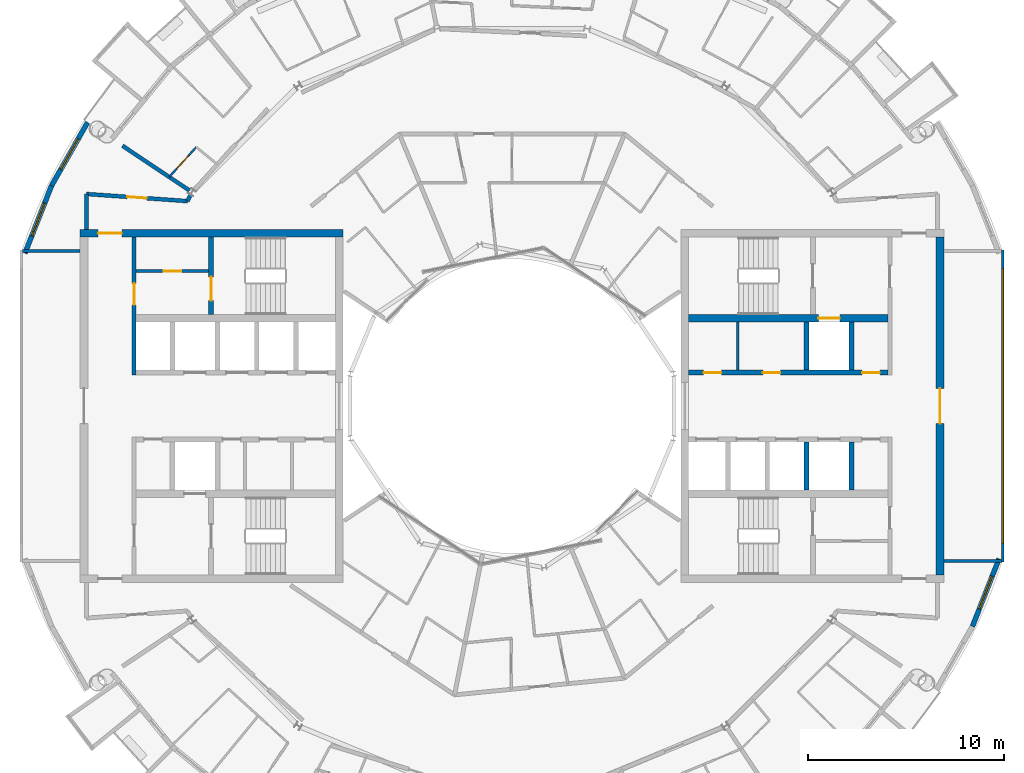
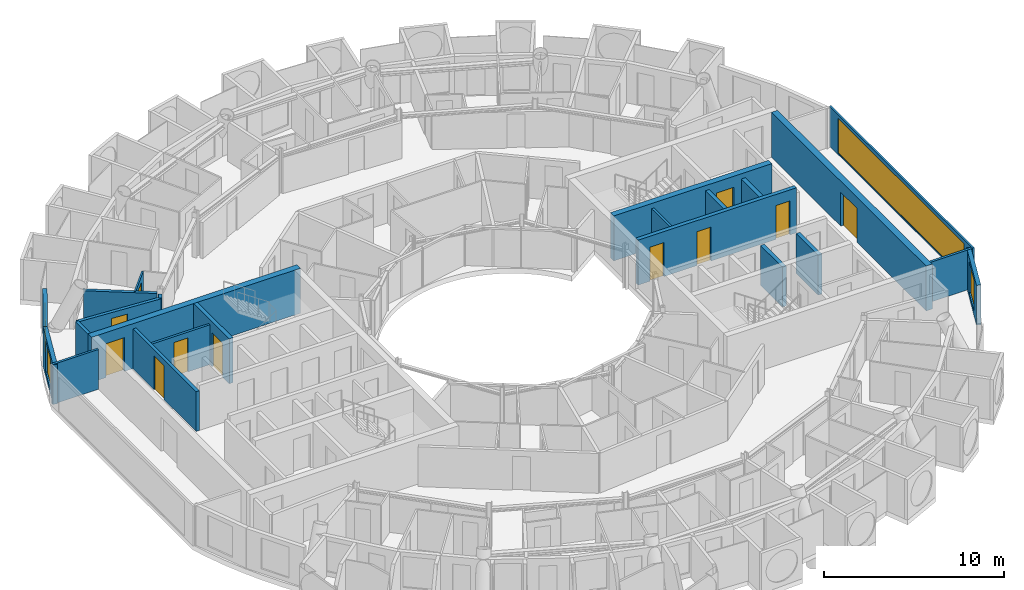
# One storey, part 19 of 27: 23 walls, 11 doors, 4 windows, 15 openings.
"""IFC4 building model written with IfcOpenShell, lengths in metres."""

import ifcopenshell
import ifcopenshell.guid

model = None  # the IFC model being written
_history = None  # IfcOwnerHistory: only IFC2X3 demands one
_inside = {}  # id of a spatial element -> (the spatial element, [elements in it])
_under = {}  # id of a project, library or spatial element -> (it, [spatial elements below it])
_declared = {}  # id of a project -> (the project, [libraries it declares])
_typed = {}  # id of a type object -> (the type object, [elements of that type])
_made_of = {}  # id of a material, layer set ... -> (it, [elements and type objects made of it])


def new_model(schema):
    """Start an empty IFC model of exactly this schema.

    Asked for "IFC4X3", IfcOpenShell would pick the latest addendum, in which some entities
    have other attributes; the version numbers below select the first issue.
    IFC2X3 requires an IfcOwnerHistory on every rooted entity: one is made here for all.
    """
    global model, _history
    if schema == "IFC4X3":
        model = ifcopenshell.file(schema_version=(4, 3, 0, 0))
    else:
        model = ifcopenshell.file(schema=schema)
    _inside.clear()
    _under.clear()
    _declared.clear()
    _typed.clear()
    _made_of.clear()
    _history = None
    if model.schema == "IFC2X3":
        org = make("IfcOrganization", Name="unknown")
        user = make(
            "IfcPersonAndOrganization",
            ThePerson=make("IfcPerson", FamilyName="unknown"),
            TheOrganization=org,
        )
        app = make(
            "IfcApplication",
            ApplicationDeveloper=org,
            Version="unknown",
            ApplicationFullName="unknown",
            ApplicationIdentifier="unknown",
        )
        _history = make(
            "IfcOwnerHistory",
            OwningUser=user,
            OwningApplication=app,
            ChangeAction="ADDED",
            CreationDate=0,
        )
    return model


def make(cls, **values):
    """One entity of the class cls with the attributes given. An attribute that is None is left unset."""
    return model.create_entity(
        cls, **{name: value for name, value in values.items() if value is not None}
    )


def rooted(cls, **values):
    """An entity with a GlobalId (a new one), such as an element, a storey or a relation."""
    return make(cls, GlobalId=ifcopenshell.guid.new(), OwnerHistory=_history, **values)


def si_unit(unit_type, name, prefix=None):
    """IfcSIUnit, for example si_unit("LENGTHUNIT", "METRE", prefix="MILLI")."""
    return make("IfcSIUnit", UnitType=unit_type, Prefix=prefix, Name=name)


def assignment(units):
    """IfcUnitAssignment: the units of a project."""
    return None if units is None else make("IfcUnitAssignment", Units=units)


def point(xyz):
    """IfcCartesianPoint."""
    return None if xyz is None else make("IfcCartesianPoint", Coordinates=xyz)


def direction(xyz):
    """IfcDirection."""
    return None if xyz is None else make("IfcDirection", DirectionRatios=xyz)


def frame(location, z_axis=None, x_axis=None):
    """IfcAxis2Placement3D, a coordinate frame: its origin and axes. An axis left out is left unset."""
    return make(
        "IfcAxis2Placement3D",
        Location=point(location),
        Axis=direction(z_axis),
        RefDirection=direction(x_axis),
    )


def frame_2d(location, x_axis=None):
    """IfcAxis2Placement2D, a coordinate frame in the plane: its origin and x axis."""
    return make(
        "IfcAxis2Placement2D", Location=point(location), RefDirection=direction(x_axis)
    )


def origin():
    """The frame at (0, 0, 0) with its axes left unset."""
    return frame((0.0, 0.0, 0.0))


def place(relative_to, where):
    """IfcLocalPlacement: puts the frame where relative to a parent placement (None: the world)."""
    return make(
        "IfcLocalPlacement", PlacementRelTo=relative_to, RelativePlacement=where
    )


def context(
    kind, dimensions, precision=None, world=None, true_north=None, identifier=None
):
    """IfcGeometricRepresentationContext, for example the 3D "Model" context."""
    return make(
        "IfcGeometricRepresentationContext",
        ContextIdentifier=identifier,
        ContextType=kind,
        CoordinateSpaceDimension=dimensions,
        Precision=precision,
        WorldCoordinateSystem=world,
        TrueNorth=true_north,
    )


def subcontext(parent, identifier, kind, view, scale=None):
    """IfcGeometricRepresentationSubContext, for example "Body" below "Model"."""
    return make(
        "IfcGeometricRepresentationSubContext",
        ContextIdentifier=identifier,
        ContextType=kind,
        ParentContext=parent,
        TargetScale=scale,
        TargetView=view,
    )


def project(units=None, contexts=None):
    """IfcProject with its units and contexts."""
    return rooted(
        "IfcProject",
        Name="project",
        RepresentationContexts=contexts,
        UnitsInContext=assignment(units),
    )


def spatial(cls, under=None, at=None, **own):
    """A site, building, storey or space (cls), placed at a placement, below another one or the project."""
    s = rooted(cls, ObjectPlacement=at, **own)
    if under is not None:
        _under.setdefault(under.id(), (under, []))[1].append(s)
    return s


def profile(cls, at=None, kind="AREA", **sizes):
    """A parametric profile (cls). Its sizes go by their IFC names, for example OverallWidth=200.0."""
    return make(cls, ProfileType=kind, Position=at, **sizes)


def rectangle(**sizes):
    """IfcRectangleProfileDef."""
    return profile("IfcRectangleProfileDef", **sizes)


def extrude(swept, where, along, depth):
    """IfcExtrudedAreaSolid: the profile swept, set in the frame where, extruded along a direction by depth."""
    return make(
        "IfcExtrudedAreaSolid",
        SweptArea=swept,
        Position=where,
        ExtrudedDirection=direction(along),
        Depth=depth,
    )


def shape(context_of_items, identifier, shape_type, items):
    """IfcShapeRepresentation: the items that make up one representation, for example the "Body"."""
    return make(
        "IfcShapeRepresentation",
        ContextOfItems=context_of_items,
        RepresentationIdentifier=identifier,
        RepresentationType=shape_type,
        Items=items,
    )


def material(Name=None, Category=None):
    """IfcMaterial."""
    return make("IfcMaterial", Name=Name, Category=Category)


def layer(
    of_material, thickness, ventilated=None, Name=None, Category=None, Priority=None
):
    """IfcMaterialLayer: one layer of a wall or slab, of a material (None: an air gap)."""
    return make(
        "IfcMaterialLayer",
        Material=of_material,
        LayerThickness=thickness,
        IsVentilated=ventilated,
        Name=Name,
        Category=Category,
        Priority=Priority,
    )


def layer_set(layers, Name=None):
    """IfcMaterialLayerSet."""
    return make("IfcMaterialLayerSet", MaterialLayers=layers, LayerSetName=Name)


def made_of(thing, what):
    """Note that an element or type object is made of a material, layer set ...; save() writes the relation."""
    if what is not None:
        _made_of.setdefault(what.id(), (what, []))[1].append(thing)
    return thing


def type_object(cls, material=None, **own):
    """A type object (cls), such as IfcWallType, which elements share."""
    return made_of(rooted(cls, **own), material)


def element(
    cls,
    number,
    at=None,
    inside=None,
    cuts=None,
    type_object=None,
    material=None,
    context=None,
    identifier="Body",
    shape_type=None,
    held_by="IfcProductDefinitionShape",
    body=None,
    shapes=None,
    **own,
):
    """One element of the class cls, such as IfcWall. Its Tag is "e" and its number.

    at: its placement. inside: the storey or other place that contains it. cuts: it is an
    opening in that element (IfcRelVoidsElement). A single representation is given by context,
    identifier, shape_type and body (its items); several are given by shapes. held_by: the class
    of the entity that holds the representations. save() writes the other relations.
    """
    e = rooted(cls, Tag="e%d" % number, ObjectPlacement=at, **own)
    if body is not None:
        shapes = [shape(context, identifier, shape_type, body)]
    if shapes is not None:
        e.Representation = make(held_by, Representations=shapes)
    if inside is not None:
        _inside.setdefault(inside.id(), (inside, []))[1].append(e)
    if cuts is not None:
        rooted(
            "IfcRelVoidsElement", RelatingBuildingElement=cuts, RelatedOpeningElement=e
        )
    if type_object is not None:
        _typed.setdefault(type_object.id(), (type_object, []))[1].append(e)
    return made_of(e, material)


def fill(opening, filler):
    """IfcRelFillsElement: the door or window that sits in an opening."""
    return rooted(
        "IfcRelFillsElement",
        RelatingOpeningElement=opening,
        RelatedBuildingElement=filler,
    )


def aggregate(whole, parts):
    """IfcRelAggregates: a whole, such as a stair, and the parts it consists of."""
    return rooted("IfcRelAggregates", RelatingObject=whole, RelatedObjects=parts)


def save(model, path):
    """Write the relations noted so far, then the file.

    IfcRelAggregates (storeys below a building ...), IfcRelContainedInSpatialStructure (elements
    in a storey), IfcRelDefinesByType, IfcRelAssociatesMaterial and IfcRelDeclares: one each for
    every whole, place, type object, material and project.
    """
    for whole, parts in _under.values():
        aggregate(whole, parts)
    for where, things in _inside.values():
        rooted(
            "IfcRelContainedInSpatialStructure",
            RelatedElements=things,
            RelatingStructure=where,
        )
    for kind, things in _typed.values():
        rooted("IfcRelDefinesByType", RelatedObjects=things, RelatingType=kind)
    for what, things in _made_of.values():
        rooted("IfcRelAssociatesMaterial", RelatedObjects=things, RelatingMaterial=what)
    for by, libraries in _declared.values():
        rooted("IfcRelDeclares", RelatingContext=by, RelatedDefinitions=libraries)
    model.write(path)


model = new_model("IFC4")

# Units and contexts
model_context = context("Model", 3, precision=1e-05, world=origin(), true_north=direction((0.0, 1.0)))
body_context = subcontext(model_context, "Body", "Model", "MODEL_VIEW")
ifc_project = project(units=[si_unit("LENGTHUNIT", "METRE"), si_unit("AREAUNIT", "SQUARE_METRE"), si_unit("VOLUMEUNIT", "CUBIC_METRE"), si_unit("PLANEANGLEUNIT", "RADIAN"), si_unit("MASSUNIT", "GRAM", prefix="KILO")], contexts=[model_context])

# Site, building, storey
site_placement = place(None, origin())
site = spatial("IfcSite", under=ifc_project, at=site_placement, CompositionType="ELEMENT")
building_placement = place(site_placement, origin())
building = spatial("IfcBuilding", under=site, at=building_placement, Name="Maasbend Ring Residences", CompositionType="ELEMENT")
storey_placement = place(building_placement, frame((0.0, 0.0, 243.199951171875)))
storey = spatial("IfcBuildingStorey", under=building, at=storey_placement, Name="L70", CompositionType="ELEMENT", Elevation=243.199951171875)

# Wall, openings, doors
ifc_material_1 = material(Name="Concrete C50/60", Category="concrete")
ifc_layer_1 = layer(ifc_material_1, 0.25)
ifc_layer_set_1 = layer_set([ifc_layer_1], Name="Concrete C50/60")
wall_type_1 = type_object("IfcWallType", Name="CORE WALL 250 C50/60", PredefinedType="SHEAR", material=ifc_layer_set_1)
wall_1_placement = place(storey_placement, frame((9.0, 1.699951171875, 0.0), z_axis=(0.0, 0.0, 1.0), x_axis=(1.0, 0.0, 0.0)))
wall_1 = element("IfcWall", 1, at=wall_1_placement, inside=storey, type_object=wall_type_1, Name="L70 core E wall SPN", PredefinedType="SHEAR", context=body_context, shape_type="SweptSolid", body=[
    extrude(rectangle(XDim=10.14990234375, YDim=0.25, at=frame_2d((5.074951171875, 0.0))), origin(), (0.0, 0.0, 1.0), 3.050048828125),
])
opening_1_placement = place(wall_1_placement, frame((0.762451171875, 0.0, 0.0)))
opening_1 = element("IfcOpeningElement", 2, at=opening_1_placement, cuts=wall_1, Name="Opening D-E7006", PredefinedType="OPENING", context=body_context, shape_type="SweptSolid", body=[
    extrude(rectangle(XDim=0.89990234375, YDim=2.300048828125, at=frame_2d((0.449951171875, 1.14990234375))), frame((0.0, 0.135009765625, 0.0), z_axis=(0.0, -1.0, 0.0), x_axis=(1.0, 0.0, 0.0)), (0.0, 0.0, 1.0), 0.27001953125),
])
opening_2_placement = place(wall_1_placement, frame((3.77490234375, 0.0, 0.0)))
opening_2 = element("IfcOpeningElement", 3, at=opening_2_placement, cuts=wall_1, Name="Opening D-E7007", PredefinedType="OPENING", context=body_context, shape_type="SweptSolid", body=[
    extrude(rectangle(XDim=0.89990234375, YDim=2.300048828125, at=frame_2d((0.449951171875, 1.14990234375))), frame((0.0, 0.135009765625, 0.0), z_axis=(0.0, -1.0, 0.0), x_axis=(1.0, 0.0, 0.0)), (0.0, 0.0, 1.0), 0.27001953125),
])
opening_3_placement = place(wall_1_placement, frame((8.83740234375, 0.0, 0.0)))
opening_3 = element("IfcOpeningElement", 4, at=opening_3_placement, cuts=wall_1, Name="Opening D-E7008", PredefinedType="OPENING", context=body_context, shape_type="SweptSolid", body=[
    extrude(rectangle(XDim=0.89990234375, YDim=2.300048828125, at=frame_2d((0.449951171875, 1.14990234375))), frame((0.0, 0.135009765625, 0.0), z_axis=(0.0, -1.0, 0.0), x_axis=(1.0, 0.0, 0.0)), (0.0, 0.0, 1.0), 0.27001953125),
])
ifc_material_2 = material(Name="Steel, powder coated", Category="steel")
door_type_1 = type_object("IfcDoorType", Name="ROOM DOOR 900 X 2300 FD30S", OperationType="NOTDEFINED", PredefinedType="DOOR", material=ifc_material_2)
door_1_placement = place(opening_1_placement, origin())
door_1 = element("IfcDoor", 5, at=door_1_placement, inside=storey, type_object=door_type_1, Name="Room door L70", OperationType="SINGLE_SWING_RIGHT", OverallHeight=2.300048828125, OverallWidth=0.89990234375, PredefinedType="DOOR", context=body_context, shape_type="SweptSolid", body=[
    extrude(rectangle(XDim=0.89990234375, YDim=2.300048828125, at=frame_2d((0.449951171875, 1.14990234375))), frame((0.0, 0.02490234375, 0.0), z_axis=(0.0, -1.0, 0.0), x_axis=(1.0, 0.0, 0.0)), (0.0, 0.0, 1.0), 0.050048828125),
])
fill(opening_1, door_1)
door_2_placement = place(opening_2_placement, origin())
door_2 = element("IfcDoor", 6, at=door_2_placement, inside=storey, type_object=door_type_1, Name="Room door L70", OperationType="SINGLE_SWING_RIGHT", OverallHeight=2.300048828125, OverallWidth=0.89990234375, PredefinedType="DOOR", context=body_context, shape_type="SweptSolid", body=[
    extrude(rectangle(XDim=0.89990234375, YDim=2.300048828125, at=frame_2d((0.449951171875, 1.14990234375))), frame((0.0, 0.02490234375, 0.0), z_axis=(0.0, -1.0, 0.0), x_axis=(1.0, 0.0, 0.0)), (0.0, 0.0, 1.0), 0.050048828125),
])
fill(opening_2, door_2)
door_3_placement = place(opening_3_placement, origin())
door_3 = element("IfcDoor", 7, at=door_3_placement, inside=storey, type_object=door_type_1, Name="Room door L70", OperationType="SINGLE_SWING_LEFT", OverallHeight=2.300048828125, OverallWidth=0.89990234375, PredefinedType="DOOR", context=body_context, shape_type="SweptSolid", body=[
    extrude(rectangle(XDim=0.89990234375, YDim=2.300048828125, at=frame_2d((0.449951171875, 1.14990234375))), frame((0.0, 0.02490234375, 0.0), z_axis=(0.0, -1.0, 0.0), x_axis=(1.0, 0.0, 0.0)), (0.0, 0.0, 1.0), 0.050048828125),
])
fill(opening_3, door_3)

# Wall, opening, door
wall_2_placement = place(storey_placement, frame((-15.324951171875, 8.60009765625, 0.0), z_axis=(0.0, 0.0, 1.0), x_axis=(0.0, -1.0, 0.0)))
wall_2 = element("IfcWall", 8, at=wall_2_placement, inside=storey, type_object=wall_type_1, Name="L70 core W wall STES", PredefinedType="SHEAR", context=body_context, shape_type="SweptSolid", body=[
    extrude(rectangle(XDim=3.9501953125, YDim=0.25, at=frame_2d((1.97509765625, 0.0))), origin(), (0.0, 0.0, 1.0), 3.050048828125),
])
opening_4_placement = place(wall_2_placement, frame((2.02490234375, 0.0, 0.0)))
opening_4 = element("IfcOpeningElement", 9, at=opening_4_placement, cuts=wall_2, Name="Opening D-W7012", PredefinedType="OPENING", context=body_context, shape_type="SweptSolid", body=[
    extrude(rectangle(XDim=1.199951171875, YDim=2.300048828125, at=frame_2d((0.60009765625, 1.14990234375))), frame((0.0, 0.135009765625, 0.0), z_axis=(0.0, -1.0, 0.0), x_axis=(1.0, 0.0, 0.0)), (0.0, 0.0, 1.0), 0.27001953125),
])
ifc_material_3 = material(Name="Steel, powder coated", Category="steel")
door_type_2 = type_object("IfcDoorType", Name="STAIR DOOR 1200 X 2300 FD60", OperationType="NOTDEFINED", PredefinedType="DOOR", material=ifc_material_3)
door_4_placement = place(opening_4_placement, origin())
door_4 = element("IfcDoor", 10, at=door_4_placement, inside=storey, type_object=door_type_2, Name="Stair door ST-W L70", OperationType="SINGLE_SWING_LEFT", OverallHeight=2.300048828125, OverallWidth=1.199951171875, PredefinedType="DOOR", context=body_context, shape_type="SweptSolid", body=[
    extrude(rectangle(XDim=1.199951171875, YDim=2.300048828125, at=frame_2d((0.60009765625, 1.14990234375))), frame((0.0, 0.02490234375, 0.0), z_axis=(0.0, -1.0, 0.0), x_axis=(1.0, 0.0, 0.0)), (0.0, 0.0, 1.0), 0.050048828125),
])
fill(opening_4, door_4)

ifc_material_4 = material(Name="Concrete C50/60", Category="concrete")
ifc_layer_2 = layer(ifc_material_4, 0.375)
ifc_layer_set_2 = layer_set([ifc_layer_2], Name="Concrete C50/60")
wall_type_2 = type_object("IfcWallType", Name="CORE WALL 375 C50/60", PredefinedType="SHEAR", material=ifc_layer_set_2)
wall_3_placement = place(storey_placement, frame((9.0, 4.46240234375, 0.0), z_axis=(0.0, 0.0, 1.0), x_axis=(1.0, 0.0, 0.0)))
wall_3 = element("IfcWall", 11, at=wall_3_placement, inside=storey, type_object=wall_type_2, Name="L70 core E wall BN", PredefinedType="SHEAR", context=body_context, shape_type="SweptSolid", body=[
    extrude(rectangle(XDim=10.14990234375, YDim=0.375, at=frame_2d((5.074951171875, 0.0))), origin(), (0.0, 0.0, 1.0), 3.050048828125),
])
opening_5_placement = place(wall_3_placement, frame((6.60009765625, 0.0, 0.0)))
opening_5 = element("IfcOpeningElement", 12, at=opening_5_placement, cuts=wall_3, Name="Opening LD-E7001", PredefinedType="OPENING", context=body_context, shape_type="SweptSolid", body=[
    extrude(rectangle(XDim=1.10009765625, YDim=2.300048828125, at=frame_2d((0.550048828125, 1.14990234375))), frame((0.0, 0.197509765625, 0.0), z_axis=(0.0, -1.0, 0.0), x_axis=(1.0, 0.0, 0.0)), (0.0, 0.0, 1.0), 0.39501953125),
])
ifc_material_5 = material(Name="Stainless steel 316", Category="steel")
door_type_3 = type_object("IfcDoorType", Name="LANDING DOOR 1100 X 2300 FD60", OperationType="DOUBLE_DOOR_SLIDING", PredefinedType="DOOR", material=ifc_material_5)
door_5_placement = place(opening_5_placement, origin())
door_5 = element("IfcDoor", 13, at=door_5_placement, inside=storey, type_object=door_type_3, Name="Landing door FF-E L70", OperationType="DOUBLE_DOOR_SLIDING", OverallHeight=2.300048828125, OverallWidth=1.10009765625, PredefinedType="DOOR", context=body_context, shape_type="SweptSolid", body=[
    extrude(rectangle(XDim=1.10009765625, YDim=2.300048828125, at=frame_2d((0.550048828125, 1.14990234375))), frame((0.0, 0.02490234375, 0.0), z_axis=(0.0, -1.0, 0.0), x_axis=(1.0, 0.0, 0.0)), (0.0, 0.0, 1.0), 0.050048828125),
])
fill(opening_5, door_5)

ifc_material_6 = material(Name="Concrete C50/60", Category="concrete")
ifc_layer_3 = layer(ifc_material_6, 0.39990234375)
ifc_layer_set_3 = layer_set([ifc_layer_3], Name="Concrete C50/60")
wall_type_3 = type_object("IfcWallType", Name="CORE WALL 400 C50/60", PredefinedType="SHEAR", material=ifc_layer_set_3)
wall_4_placement = place(storey_placement, frame((21.800048828125, 8.60009765625, 0.0), z_axis=(0.0, 0.0, 1.0), x_axis=(0.0, -1.0, 0.0)))
wall_4 = element("IfcWall", 14, at=wall_4_placement, inside=storey, type_object=wall_type_3, Name="L70 core E wall POUT", PredefinedType="SHEAR", context=body_context, shape_type="SweptSolid", body=[
    extrude(rectangle(XDim=17.2001953125, YDim=0.39990234375, at=frame_2d((8.60009765625, 0.0))), origin(), (0.0, 0.0, 1.0), 3.050048828125),
])
opening_6_placement = place(wall_4_placement, frame((7.699951171875, 0.0, 0.0)))
opening_6 = element("IfcOpeningElement", 15, at=opening_6_placement, cuts=wall_4, Name="Opening D-E7017", PredefinedType="OPENING", context=body_context, shape_type="SweptSolid", body=[
    extrude(rectangle(XDim=1.800048828125, YDim=2.300048828125, at=frame_2d((0.89990234375, 1.14990234375))), frame((0.0, 0.2099609375, 0.0), z_axis=(0.0, -1.0, 0.0), x_axis=(1.0, 0.0, 0.0)), (0.0, 0.0, 1.0), 0.419921875),
])
ifc_material_7 = material(Name="Aluminium frame, clear glass", Category="aluminium")
door_type_4 = type_object("IfcDoorType", Name="ENTRANCE DOOR 1800 X 2300 FD60", OperationType="NOTDEFINED", PredefinedType="DOOR", material=ifc_material_7)
door_6_placement = place(opening_6_placement, origin())
door_6 = element("IfcDoor", 16, at=door_6_placement, inside=storey, type_object=door_type_4, Name="Lobby glazed door L70", OperationType="SINGLE_SWING_LEFT", OverallHeight=2.300048828125, OverallWidth=1.800048828125, PredefinedType="DOOR", context=body_context, shape_type="SweptSolid", body=[
    extrude(rectangle(XDim=1.800048828125, YDim=2.300048828125, at=frame_2d((0.89990234375, 1.14990234375))), frame((0.0, 0.02490234375, 0.0), z_axis=(0.0, -1.0, 0.0), x_axis=(1.0, 0.0, 0.0)), (0.0, 0.0, 1.0), 0.050048828125),
])
fill(opening_6, door_6)

wall_5_placement = place(storey_placement, frame((-8.60009765625, 8.800048828125, 0.0), z_axis=(0.0, 0.0, 1.0), x_axis=(-1.0, 0.0, 0.0)))
wall_5 = element("IfcWall", 17, at=wall_5_placement, inside=storey, type_object=wall_type_3, Name="L70 core W wall PS", PredefinedType="SHEAR", context=body_context, shape_type="SweptSolid", body=[
    extrude(rectangle(XDim=13.39990234375, YDim=0.39990234375, at=frame_2d((6.699951171875, 0.0))), origin(), (0.0, 0.0, 1.0), 3.050048828125),
])
opening_7_placement = place(wall_5_placement, frame((11.27490234375, 0.0, 0.0)))
opening_7 = element("IfcOpeningElement", 18, at=opening_7_placement, cuts=wall_5, Name="Opening D-W7016", PredefinedType="OPENING", context=body_context, shape_type="SweptSolid", body=[
    extrude(rectangle(XDim=1.199951171875, YDim=2.300048828125, at=frame_2d((0.60009765625, 1.14990234375))), frame((0.0, 0.2099609375, 0.0), z_axis=(0.0, -1.0, 0.0), x_axis=(1.0, 0.0, 0.0)), (0.0, 0.0, 1.0), 0.419921875),
])
ifc_material_8 = material(Name="Steel, powder coated", Category="steel")
door_type_5 = type_object("IfcDoorType", Name="CORRIDOR DOOR 1200 X 2300 FD30S", OperationType="NOTDEFINED", PredefinedType="DOOR", material=ifc_material_8)
door_7_placement = place(opening_7_placement, origin())
door_7 = element("IfcDoor", 19, at=door_7_placement, inside=storey, type_object=door_type_5, Name="Corridor door L70", OperationType="SINGLE_SWING_LEFT", OverallHeight=2.300048828125, OverallWidth=1.199951171875, PredefinedType="DOOR", context=body_context, shape_type="SweptSolid", body=[
    extrude(rectangle(XDim=1.199951171875, YDim=2.300048828125, at=frame_2d((0.60009765625, 1.14990234375))), frame((0.0, 0.02490234375, 0.0), z_axis=(0.0, -1.0, 0.0), x_axis=(1.0, 0.0, 0.0)), (0.0, 0.0, 1.0), 0.050048828125),
])
fill(opening_7, door_7)

ifc_material_9 = material(Name="Concrete C30/37", Category="concrete")
ifc_layer_4 = layer(ifc_material_9, 0.199951171875)
ifc_layer_set_4 = layer_set([ifc_layer_4], Name="Concrete C30/37")
wall_type_4 = type_object("IfcWallType", Name="CORRIDOR WALL 200 CONCRETE", PredefinedType="PARTITIONING", material=ifc_layer_set_4)
wall_6_placement = place(storey_placement, frame((-21.675048828125, 10.800048828125, 0.0), z_axis=(0.0, 0.0, 1.0), x_axis=(0.997515141784, -0.070452408845, 0.0)))
wall_6 = element("IfcWall", 20, at=wall_6_placement, inside=storey, type_object=wall_type_4, Name="U-L70-w097", PredefinedType="PARTITIONING", context=body_context, shape_type="SweptSolid", body=[
    extrude(rectangle(XDim=5.15283203125, YDim=0.199951171875, at=frame_2d((2.576416015625, 0.0))), origin(), (0.0, 0.0, 1.0), 2.699951171875),
])
opening_8_placement = place(wall_6_placement, frame((2.075927734375, 0.0, 0.0)))
opening_8 = element("IfcOpeningElement", 21, at=opening_8_placement, cuts=wall_6, Name="Opening D-7064", PredefinedType="OPENING", context=body_context, shape_type="SweptSolid", body=[
    extrude(rectangle(XDim=1.0, YDim=2.300048828125, at=frame_2d((0.5, 1.14990234375))), frame((0.0, 0.10986328125, 0.0), z_axis=(0.0, -1.0, 0.0), x_axis=(1.0, 0.0, 0.0)), (0.0, 0.0, 1.0), 0.219970703125),
])
ifc_material_10 = material(Name="Timber, painted", Category="wood")
door_type_6 = type_object("IfcDoorType", Name="ROOM DOOR 1000 X 2300", OperationType="NOTDEFINED", PredefinedType="DOOR", material=ifc_material_10)
door_8_placement = place(opening_8_placement, origin())
door_8 = element("IfcDoor", 22, at=door_8_placement, inside=storey, type_object=door_type_6, Name="D-7064", OperationType="SINGLE_SWING_RIGHT", OverallHeight=2.300048828125, OverallWidth=1.0, PredefinedType="DOOR", context=body_context, shape_type="SweptSolid", body=[
    extrude(rectangle(XDim=1.0, YDim=2.300048828125, at=frame_2d((0.5, 1.14990234375))), frame((0.0, 0.02490234375, 0.0), z_axis=(0.0, -1.0, 0.0), x_axis=(1.0, 0.0, 0.0)), (0.0, 0.0, 1.0), 0.050048828125),
])
fill(opening_8, door_8)

# Walls
wall_7_placement = place(storey_placement, frame((-16.534912109375, 10.43701171875, 0.0), z_axis=(0.0, 0.0, 1.0), x_axis=(0.465802239822, 0.884888848035, 0.0)))
element("IfcWall", 23, at=wall_7_placement, inside=storey, type_object=wall_type_4, Name="U-L70-w113", PredefinedType="PARTITIONING", context=body_context, shape_type="SweptSolid", body=[
    extrude(rectangle(XDim=0.360595703125, YDim=0.199951171875, at=frame_2d((0.18017578125, 0.0))), origin(), (0.0, 0.0, 1.0), 2.699951171875),
])
wall_8_placement = place(storey_placement, frame((-21.675048828125, 9.0, 0.0), z_axis=(0.0, 0.0, 1.0), x_axis=(0.0, 1.0, 0.0)))
element("IfcWall", 24, at=wall_8_placement, inside=storey, type_object=wall_type_4, Name="U-L70-w126", PredefinedType="PARTITIONING", context=body_context, shape_type="SweptSolid", body=[
    extrude(rectangle(XDim=1.800048828125, YDim=0.199951171875, at=frame_2d((0.89990234375, 0.0))), origin(), (0.0, 0.0, 1.0), 2.699951171875),
])

# Wall, opening, window
ifc_material_11 = material(Name="Aluminium clad insulated panel", Category="aluminium")
ifc_layer_5 = layer(ifc_material_11, 0.25)
ifc_layer_set_5 = layer_set([ifc_layer_5], Name="EW-HORN")
wall_type_5 = type_object("IfcWallType", Name="EW-HORN", PredefinedType="SOLIDWALL", material=ifc_layer_set_5)
wall_9_placement = place(storey_placement, frame((23.451904296875, -11.22607421875, 0.0), z_axis=(0.0, 0.0, 1.0), x_axis=(0.366351636034, 0.930476479432, 0.0)))
wall_9 = element("IfcWall", 25, at=wall_9_placement, inside=storey, type_object=wall_type_5, Name="Horn wall 2.2", PredefinedType="SOLIDWALL", context=body_context, shape_type="SweptSolid", body=[
    extrude(rectangle(XDim=3.70458984375, YDim=0.25, at=frame_2d((1.852294921875, 0.0))), origin(), (0.0, 0.0, 1.0), 2.699951171875),
])
opening_9_placement = place(wall_9_placement, frame((0.952392578125, 0.0, 0.300048828125)))
opening_9 = element("IfcOpeningElement", 26, at=opening_9_placement, cuts=wall_9, Name="Opening W-BX", PredefinedType="OPENING", context=body_context, shape_type="SweptSolid", body=[
    extrude(rectangle(XDim=1.800048828125, YDim=2.10009765625, at=frame_2d((0.89990234375, 1.050048828125))), frame((0.0, 0.135009765625, 0.0), z_axis=(0.0, -1.0, 0.0), x_axis=(1.0, 0.0, 0.0)), (0.0, 0.0, 1.0), 0.27001953125),
])
ifc_material_12 = material(Name="Aluminium and clear glass", Category="aluminium")
window_type_1 = type_object("IfcWindowType", Name="W-BX", PartitioningType="DOUBLE_PANEL_VERTICAL", PredefinedType="WINDOW", material=ifc_material_12)
window_1_placement = place(opening_9_placement, origin())
window_1 = element("IfcWindow", 27, at=window_1_placement, inside=storey, type_object=window_type_1, Name="Horn window 2.2", OverallHeight=2.10009765625, OverallWidth=1.800048828125, PartitioningType="SINGLE_PANEL", PredefinedType="WINDOW", context=body_context, shape_type="SweptSolid", body=[
    extrude(rectangle(XDim=1.800048828125, YDim=2.10009765625, at=frame_2d((0.89990234375, 1.050048828125))), frame((0.0, 0.030029296875, 0.0), z_axis=(0.0, -1.0, 0.0), x_axis=(1.0, 0.0, 0.0)), (0.0, 0.0, 1.0), 0.06005859375),
])
fill(opening_9, window_1)

wall_10_placement = place(storey_placement, frame((-21.617919921875, 14.445068359375, 0.0), z_axis=(0.0, 0.0, 1.0), x_axis=(-0.495031435966, -0.868875064325, 0.0)))
wall_10 = element("IfcWall", 28, at=wall_10_placement, inside=storey, type_object=wall_type_5, Name="Horn wall 4.1", PredefinedType="SOLIDWALL", context=body_context, shape_type="SweptSolid", body=[
    extrude(rectangle(XDim=3.704833984375, YDim=0.25, at=frame_2d((1.8525390625, 0.0))), origin(), (0.0, 0.0, 1.0), 2.699951171875),
])
opening_10_placement = place(wall_10_placement, frame((0.952392578125, 0.0, 0.300048828125)))
opening_10 = element("IfcOpeningElement", 29, at=opening_10_placement, cuts=wall_10, Name="Opening W-BX", PredefinedType="OPENING", context=body_context, shape_type="SweptSolid", body=[
    extrude(rectangle(XDim=1.800048828125, YDim=2.10009765625, at=frame_2d((0.89990234375, 1.050048828125))), frame((0.0, 0.135009765625, 0.0), z_axis=(0.0, -1.0, 0.0), x_axis=(1.0, 0.0, 0.0)), (0.0, 0.0, 1.0), 0.27001953125),
])
window_2_placement = place(opening_10_placement, origin())
window_2 = element("IfcWindow", 30, at=window_2_placement, inside=storey, type_object=window_type_1, Name="Horn window 4.1", OverallHeight=2.10009765625, OverallWidth=1.800048828125, PartitioningType="SINGLE_PANEL", PredefinedType="WINDOW", context=body_context, shape_type="SweptSolid", body=[
    extrude(rectangle(XDim=1.800048828125, YDim=2.10009765625, at=frame_2d((0.89990234375, 1.050048828125))), frame((0.0, 0.030029296875, 0.0), z_axis=(0.0, -1.0, 0.0), x_axis=(1.0, 0.0, 0.0)), (0.0, 0.0, 1.0), 0.06005859375),
])
fill(opening_10, window_2)

wall_11_placement = place(storey_placement, frame((-23.451904296875, 11.22607421875, 0.0), z_axis=(0.0, 0.0, 1.0), x_axis=(-0.366351636034, -0.930476479432, 0.0)))
wall_11 = element("IfcWall", 31, at=wall_11_placement, inside=storey, type_object=wall_type_5, Name="Horn wall 4.2", PredefinedType="SOLIDWALL", context=body_context, shape_type="SweptSolid", body=[
    extrude(rectangle(XDim=3.70458984375, YDim=0.25, at=frame_2d((1.852294921875, 0.0))), origin(), (0.0, 0.0, 1.0), 2.699951171875),
])
opening_11_placement = place(wall_11_placement, frame((0.952392578125, 0.0, 0.300048828125)))
opening_11 = element("IfcOpeningElement", 32, at=opening_11_placement, cuts=wall_11, Name="Opening W-BX", PredefinedType="OPENING", context=body_context, shape_type="SweptSolid", body=[
    extrude(rectangle(XDim=1.800048828125, YDim=2.10009765625, at=frame_2d((0.89990234375, 1.050048828125))), frame((0.0, 0.135009765625, 0.0), z_axis=(0.0, -1.0, 0.0), x_axis=(1.0, 0.0, 0.0)), (0.0, 0.0, 1.0), 0.27001953125),
])
window_3_placement = place(opening_11_placement, origin())
window_3 = element("IfcWindow", 33, at=window_3_placement, inside=storey, type_object=window_type_1, Name="Horn window 4.2", OverallHeight=2.10009765625, OverallWidth=1.800048828125, PartitioningType="SINGLE_PANEL", PredefinedType="WINDOW", context=body_context, shape_type="SweptSolid", body=[
    extrude(rectangle(XDim=1.800048828125, YDim=2.10009765625, at=frame_2d((0.89990234375, 1.050048828125))), frame((0.0, 0.030029296875, 0.0), z_axis=(0.0, -1.0, 0.0), x_axis=(1.0, 0.0, 0.0)), (0.0, 0.0, 1.0), 0.06005859375),
])
fill(opening_11, window_3)

ifc_material_13 = material(Name="Aluminium frame and clear glass", Category="aluminium")
ifc_layer_6 = layer(ifc_material_13, 0.1201171875)
ifc_layer_set_6 = layer_set([ifc_layer_6], Name="GLAZED SCREEN WALL 120 EI 60")
wall_type_6 = type_object("IfcWallType", Name="GLAZED SCREEN WALL 120 EI 60", PredefinedType="PARTITIONING", material=ifc_layer_set_6)
wall_12_placement = place(storey_placement, frame((25.0, -7.949951171875, 0.0), z_axis=(0.0, 0.0, 1.0), x_axis=(0.0, 1.0, 0.0)))
wall_12 = element("IfcWall", 34, at=wall_12_placement, inside=storey, type_object=wall_type_6, Name="L70 core E wall FACE", PredefinedType="PARTITIONING", context=body_context, shape_type="SweptSolid", body=[
    extrude(rectangle(XDim=15.89990234375, YDim=0.1201171875, at=frame_2d((7.949951171875, 0.0))), origin(), (0.0, 0.0, 1.0), 2.699951171875),
])
opening_12_placement = place(wall_12_placement, frame((0.949951171875, 0.0, 0.10009765625)))
opening_12 = element("IfcOpeningElement", 35, at=opening_12_placement, cuts=wall_12, Name="Opening W-E7002", PredefinedType="OPENING", context=body_context, shape_type="SweptSolid", body=[
    extrude(rectangle(XDim=14.0, YDim=2.35009765625, at=frame_2d((7.0, 1.175048828125))), frame((0.0, 0.070068359375, 0.0), z_axis=(0.0, -1.0, 0.0), x_axis=(1.0, 0.0, 0.0)), (0.0, 0.0, 1.0), 0.14013671875),
])
ifc_material_14 = material(Name="Aluminium frame and clear glass", Category="aluminium")
window_type_2 = type_object("IfcWindowType", Name="FIXED WINDOW 14000 X 2350", PartitioningType="SINGLE_PANEL", PredefinedType="WINDOW", material=ifc_material_14)
window_4_placement = place(opening_12_placement, origin())
window_4 = element("IfcWindow", 36, at=window_4_placement, inside=storey, type_object=window_type_2, Name="Lobby window L70", OverallHeight=2.35009765625, OverallWidth=14.0, PartitioningType="SINGLE_PANEL", PredefinedType="WINDOW", context=body_context, shape_type="SweptSolid", body=[
    extrude(rectangle(XDim=14.0, YDim=2.35009765625, at=frame_2d((7.0, 1.175048828125))), frame((0.0, 0.030029296875, 0.0), z_axis=(0.0, -1.0, 0.0), x_axis=(1.0, 0.0, 0.0)), (0.0, 0.0, 1.0), 0.06005859375),
])
fill(opening_12, window_4)

# Wall, opening, door
ifc_material_15 = material(Name="Gypsum board on steel studs", Category="steel")
ifc_layer_7 = layer(ifc_material_15, 0.10009765625)
ifc_layer_set_7 = layer_set([ifc_layer_7], Name="PARTITION 100 GYPSUM")
wall_type_7 = type_object("IfcWallType", Name="PARTITION 100 GYPSUM", PredefinedType="PARTITIONING", material=ifc_layer_set_7)
wall_13_placement = place(storey_placement, frame((-17.4609375, 11.6669921875, 0.0), z_axis=(0.0, 0.0, 1.0), x_axis=(0.671678456097, 0.74084279818, 0.0)))
wall_13 = element("IfcWall", 37, at=wall_13_placement, inside=storey, type_object=wall_type_7, Name="U-L70-w121", PredefinedType="PARTITIONING", context=body_context, shape_type="SweptSolid", body=[
    extrude(rectangle(XDim=2.054443359375, YDim=0.10009765625, at=frame_2d((1.02734375, 0.0))), origin(), (0.0, 0.0, 1.0), 2.699951171875),
])
opening_13_placement = place(wall_13_placement, frame((0.576904296875, 0.0, 0.0)))
opening_13 = element("IfcOpeningElement", 38, at=opening_13_placement, cuts=wall_13, Name="Opening D-7019", PredefinedType="OPENING", context=body_context, shape_type="SweptSolid", body=[
    extrude(rectangle(XDim=0.89990234375, YDim=2.300048828125, at=frame_2d((0.449951171875, 1.14990234375))), frame((0.0, 0.06005859375, 0.0), z_axis=(0.0, -1.0, 0.0), x_axis=(1.0, 0.0, 0.0)), (0.0, 0.0, 1.0), 0.1201171875),
])
ifc_material_16 = material(Name="Timber, painted", Category="wood")
door_type_7 = type_object("IfcDoorType", Name="INTERNAL DOOR 900 X 2300", OperationType="NOTDEFINED", PredefinedType="DOOR", material=ifc_material_16)
door_9_placement = place(opening_13_placement, origin())
door_9 = element("IfcDoor", 39, at=door_9_placement, inside=storey, type_object=door_type_7, Name="D-7019", OperationType="SINGLE_SWING_LEFT", OverallHeight=2.300048828125, OverallWidth=0.89990234375, PredefinedType="DOOR", context=body_context, shape_type="SweptSolid", body=[
    extrude(rectangle(XDim=0.89990234375, YDim=2.300048828125, at=frame_2d((0.449951171875, 1.14990234375))), frame((0.0, 0.02490234375, 0.0), z_axis=(0.0, -1.0, 0.0), x_axis=(1.0, 0.0, 0.0)), (0.0, 0.0, 1.0), 0.050048828125),
])
fill(opening_13, door_9)

# Walls
ifc_material_17 = material(Name="Gypsum board on steel studs", Category="steel")
ifc_layer_8 = layer(ifc_material_17, 0.14990234375)
ifc_layer_set_8 = layer_set([ifc_layer_8], Name="PARTITION 150 EI 60")
wall_type_8 = type_object("IfcWallType", Name="PARTITION 150 EI 60", PredefinedType="PARTITIONING", material=ifc_layer_set_8)
wall_14_placement = place(storey_placement, frame((11.5, 1.824951171875, 0.0), z_axis=(0.0, 0.0, 1.0), x_axis=(0.0, 1.0, 0.0)))
element("IfcWall", 40, at=wall_14_placement, inside=storey, type_object=wall_type_8, Name="L70 core E wall PRN1150", PredefinedType="PARTITIONING", context=body_context, shape_type="SweptSolid", body=[
    extrude(rectangle(XDim=2.449951171875, YDim=0.14990234375, at=frame_2d((1.22509765625, 0.0))), origin(), (0.0, 0.0, 1.0), 2.699951171875),
])
wall_15_placement = place(storey_placement, frame((22.0, -7.89990234375, 0.0), z_axis=(0.0, 0.0, 1.0), x_axis=(1.0, 0.0, 0.0)))
element("IfcWall", 41, at=wall_15_placement, inside=storey, type_object=wall_type_8, Name="L70 core E wall CITS", PredefinedType="PARTITIONING", context=body_context, shape_type="SweptSolid", body=[
    extrude(rectangle(XDim=2.93994140625, YDim=0.14990234375, at=frame_2d((1.469970703125, 0.0))), origin(), (0.0, 0.0, 1.0), 2.699951171875),
])

# Wall, opening, door
wall_16_placement = place(storey_placement, frame((-15.449951171875, 6.875, 0.0), z_axis=(0.0, 0.0, 1.0), x_axis=(-1.0, 0.0, 0.0)))
wall_16 = element("IfcWall", 42, at=wall_16_placement, inside=storey, type_object=wall_type_8, Name="L70 core W wall RHS", PredefinedType="PARTITIONING", context=body_context, shape_type="SweptSolid", body=[
    extrude(rectangle(XDim=3.699951171875, YDim=0.14990234375, at=frame_2d((1.85009765625, 0.0))), origin(), (0.0, 0.0, 1.0), 2.699951171875),
])
opening_14_placement = place(wall_16_placement, frame((1.39990234375, 0.0, 0.0)))
opening_14 = element("IfcOpeningElement", 43, at=opening_14_placement, cuts=wall_16, Name="Opening D-W7010", PredefinedType="OPENING", context=body_context, shape_type="SweptSolid", body=[
    extrude(rectangle(XDim=0.89990234375, YDim=2.300048828125, at=frame_2d((0.449951171875, 1.14990234375))), frame((0.0, 0.0849609375, 0.0), z_axis=(0.0, -1.0, 0.0), x_axis=(1.0, 0.0, 0.0)), (0.0, 0.0, 1.0), 0.169921875),
])
ifc_material_18 = material(Name="Steel, powder coated", Category="steel")
door_type_8 = type_object("IfcDoorType", Name="RISER DOOR 900 X 2300 FD60", OperationType="NOTDEFINED", PredefinedType="DOOR", material=ifc_material_18)
door_10_placement = place(opening_14_placement, origin())
door_10 = element("IfcDoor", 44, at=door_10_placement, inside=storey, type_object=door_type_8, Name="Riser door L70", OperationType="SINGLE_SWING_LEFT", OverallHeight=2.300048828125, OverallWidth=0.89990234375, PredefinedType="DOOR", context=body_context, shape_type="SweptSolid", body=[
    extrude(rectangle(XDim=0.89990234375, YDim=2.300048828125, at=frame_2d((0.449951171875, 1.14990234375))), frame((0.0, 0.02490234375, 0.0), z_axis=(0.0, -1.0, 0.0), x_axis=(1.0, 0.0, 0.0)), (0.0, 0.0, 1.0), 0.050048828125),
])
fill(opening_14, door_10)

# Walls
wall_17_placement = place(storey_placement, frame((-22.0, 7.89990234375, 0.0), z_axis=(0.0, 0.0, 1.0), x_axis=(-1.0, 0.0, 0.0)))
element("IfcWall", 45, at=wall_17_placement, inside=storey, type_object=wall_type_8, Name="L70 core W wall CITS", PredefinedType="PARTITIONING", context=body_context, shape_type="SweptSolid", body=[
    extrude(rectangle(XDim=2.93994140625, YDim=0.14990234375, at=frame_2d((1.469970703125, 0.0))), origin(), (0.0, 0.0, 1.0), 2.699951171875),
])
ifc_material_19 = material(Name="Concrete C30/37", Category="concrete")
ifc_layer_9 = layer(ifc_material_19, 0.199951171875)
ifc_layer_set_9 = layer_set([ifc_layer_9], Name="Concrete C30/37")
wall_type_9 = type_object("IfcWallType", Name="PARTY WALL 200 CONCRETE", PredefinedType="PARTITIONING", material=ifc_layer_set_9)
wall_18_placement = place(storey_placement, frame((-19.837890625, 13.256103515625, 0.0), z_axis=(0.0, 0.0, 1.0), x_axis=(0.831263363926, -0.555878781566, 0.0)))
element("IfcWall", 46, at=wall_18_placement, inside=storey, type_object=wall_type_9, Name="U-L70-w034", PredefinedType="PARTITIONING", context=body_context, shape_type="SweptSolid", body=[
    extrude(rectangle(XDim=4.109130859375, YDim=0.199951171875, at=frame_2d((2.0546875, 0.0))), origin(), (0.0, 0.0, 1.0), 2.699951171875),
])

# Wall, opening, door
ifc_material_20 = material(Name="Concrete C30/37", Category="concrete")
ifc_layer_10 = layer(ifc_material_20, 0.199951171875)
ifc_layer_set_10 = layer_set([ifc_layer_10], Name="Concrete C30/37")
wall_type_10 = type_object("IfcWallType", Name="SHAFT WALL 200 EI 120", PredefinedType="SOLIDWALL", material=ifc_layer_set_10)
wall_19_placement = place(storey_placement, frame((-19.25, 8.60009765625, 0.0), z_axis=(0.0, 0.0, 1.0), x_axis=(0.0, -1.0, 0.0)))
wall_19 = element("IfcWall", 47, at=wall_19_placement, inside=storey, type_object=wall_type_10, Name="L70 core W wall ENDS", PredefinedType="SOLIDWALL", context=body_context, shape_type="SweptSolid", body=[
    extrude(rectangle(XDim=7.025146484375, YDim=0.199951171875, at=frame_2d((3.5126953125, 0.0))), origin(), (0.0, 0.0, 1.0), 2.699951171875),
])
opening_15_placement = place(wall_19_placement, frame((2.35009765625, 0.0, 0.0)))
opening_15 = element("IfcOpeningElement", 48, at=opening_15_placement, cuts=wall_19, Name="Opening D-W7014", PredefinedType="OPENING", context=body_context, shape_type="SweptSolid", body=[
    extrude(rectangle(XDim=1.10009765625, YDim=2.300048828125, at=frame_2d((0.550048828125, 1.14990234375))), frame((0.0, 0.10986328125, 0.0), z_axis=(0.0, -1.0, 0.0), x_axis=(1.0, 0.0, 0.0)), (0.0, 0.0, 1.0), 0.219970703125),
])
ifc_material_21 = material(Name="Steel, powder coated", Category="steel")
door_type_9 = type_object("IfcDoorType", Name="LOBBY DOOR 1100 X 2300 FD60", OperationType="NOTDEFINED", PredefinedType="DOOR", material=ifc_material_21)
door_11_placement = place(opening_15_placement, origin())
door_11 = element("IfcDoor", 49, at=door_11_placement, inside=storey, type_object=door_type_9, Name="Lobby door L70", OperationType="SINGLE_SWING_RIGHT", OverallHeight=2.300048828125, OverallWidth=1.10009765625, PredefinedType="DOOR", context=body_context, shape_type="SweptSolid", body=[
    extrude(rectangle(XDim=1.10009765625, YDim=2.300048828125, at=frame_2d((0.550048828125, 1.14990234375))), frame((0.0, 0.02490234375, 0.0), z_axis=(0.0, -1.0, 0.0), x_axis=(1.0, 0.0, 0.0)), (0.0, 0.0, 1.0), 0.050048828125),
])
fill(opening_15, door_11)

# Walls
ifc_material_22 = material(Name="Concrete C30/37", Category="concrete")
ifc_layer_11 = layer(ifc_material_22, 0.25)
ifc_layer_set_11 = layer_set([ifc_layer_11], Name="Concrete C30/37")
wall_type_11 = type_object("IfcWallType", Name="SHAFT WALL 250 EI 120", PredefinedType="SOLIDWALL", material=ifc_layer_set_11)
for number, where, z_axis, x_axis, name in (
    (50, (15.0, 1.824951171875, 0.0), (0.0, 0.0, 1.0), (0.0, 1.0, 0.0), "L70 core E wall D150N"),
    (51, (17.300048828125, 1.824951171875, 0.0), (0.0, 0.0, 1.0), (0.0, 1.0, 0.0), "L70 core E wall D173N"),
    (52, (15.0, -1.824951171875, 0.0), (0.0, 0.0, 1.0), (0.0, -1.0, 0.0), "L70 core E wall D150S"),
    (53, (17.300048828125, -1.824951171875, 0.0), (0.0, 0.0, 1.0), (0.0, -1.0, 0.0), "L70 core E wall D173S"),
):
    element("IfcWall", number, at=place(storey_placement, frame(where, z_axis=z_axis, x_axis=x_axis)), inside=storey, type_object=wall_type_11, Name=name, PredefinedType="SOLIDWALL", context=body_context, shape_type="SweptSolid", body=[
        extrude(rectangle(XDim=2.449951171875, YDim=0.25, at=frame_2d((1.22509765625, 0.0))), origin(), (0.0, 0.0, 1.0), 2.699951171875),
    ])

save(model, "model.ifc")
